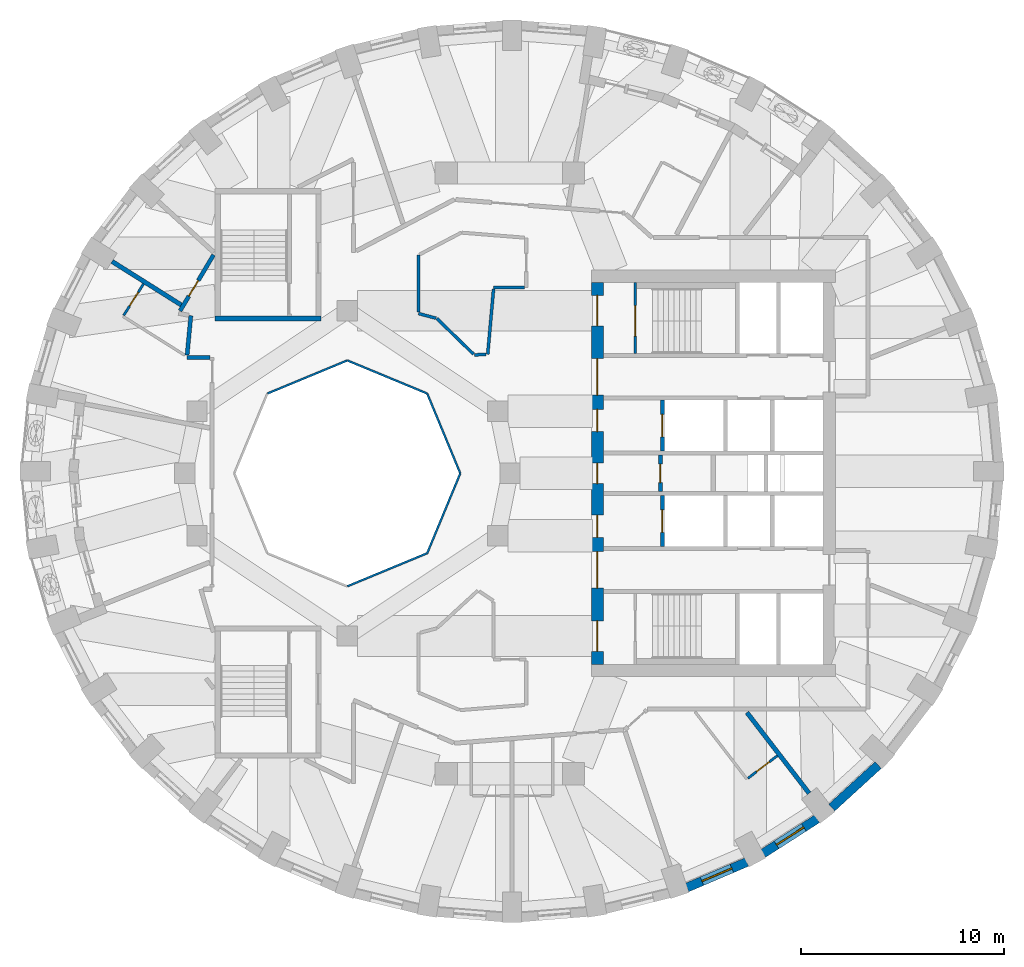
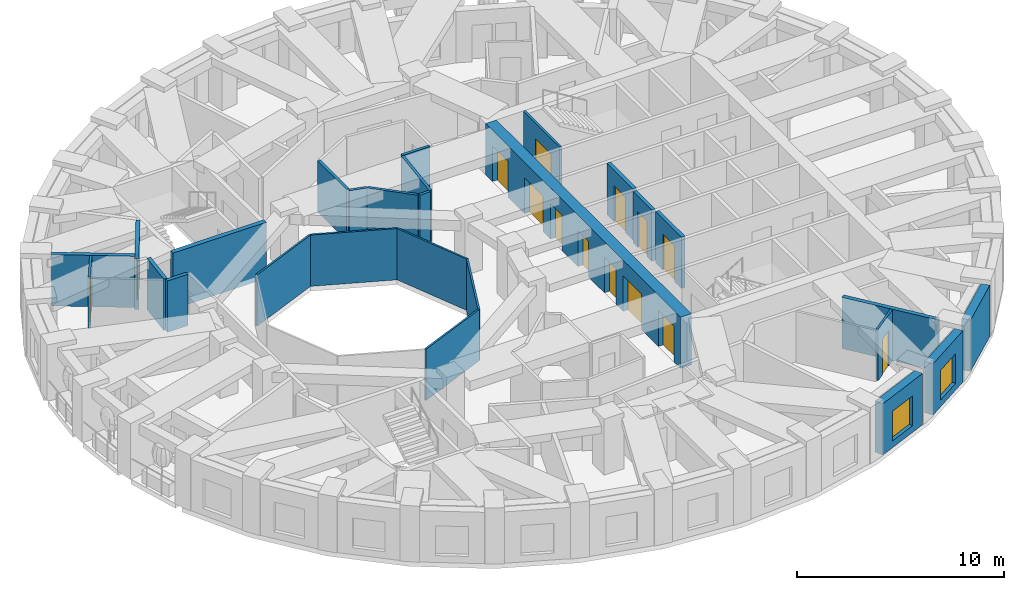
# One storey, part 5 of 12: 27 walls, 14 doors, 2 windows, 16 openings.
"""IFC4 building model written with IfcOpenShell, lengths in metres."""

import ifcopenshell
import ifcopenshell.guid

model = None  # the IFC model being written
_history = None  # IfcOwnerHistory: only IFC2X3 demands one
_inside = {}  # id of a spatial element -> (the spatial element, [elements in it])
_under = {}  # id of a project, library or spatial element -> (it, [spatial elements below it])
_declared = {}  # id of a project -> (the project, [libraries it declares])
_typed = {}  # id of a type object -> (the type object, [elements of that type])
_made_of = {}  # id of a material, layer set ... -> (it, [elements and type objects made of it])


def new_model(schema):
    """Start an empty IFC model of exactly this schema.

    Asked for "IFC4X3", IfcOpenShell would pick the latest addendum, in which some entities
    have other attributes; the version numbers below select the first issue.
    IFC2X3 requires an IfcOwnerHistory on every rooted entity: one is made here for all.
    """
    global model, _history
    if schema == "IFC4X3":
        model = ifcopenshell.file(schema_version=(4, 3, 0, 0))
    else:
        model = ifcopenshell.file(schema=schema)
    _inside.clear()
    _under.clear()
    _declared.clear()
    _typed.clear()
    _made_of.clear()
    _history = None
    if model.schema == "IFC2X3":
        org = make("IfcOrganization", Name="unknown")
        user = make(
            "IfcPersonAndOrganization",
            ThePerson=make("IfcPerson", FamilyName="unknown"),
            TheOrganization=org,
        )
        app = make(
            "IfcApplication",
            ApplicationDeveloper=org,
            Version="unknown",
            ApplicationFullName="unknown",
            ApplicationIdentifier="unknown",
        )
        _history = make(
            "IfcOwnerHistory",
            OwningUser=user,
            OwningApplication=app,
            ChangeAction="ADDED",
            CreationDate=0,
        )
    return model


def make(cls, **values):
    """One entity of the class cls with the attributes given. An attribute that is None is left unset."""
    return model.create_entity(
        cls, **{name: value for name, value in values.items() if value is not None}
    )


def rooted(cls, **values):
    """An entity with a GlobalId (a new one), such as an element, a storey or a relation."""
    return make(cls, GlobalId=ifcopenshell.guid.new(), OwnerHistory=_history, **values)


def si_unit(unit_type, name, prefix=None):
    """IfcSIUnit, for example si_unit("LENGTHUNIT", "METRE", prefix="MILLI")."""
    return make("IfcSIUnit", UnitType=unit_type, Prefix=prefix, Name=name)


def assignment(units):
    """IfcUnitAssignment: the units of a project."""
    return None if units is None else make("IfcUnitAssignment", Units=units)


def point(xyz):
    """IfcCartesianPoint."""
    return None if xyz is None else make("IfcCartesianPoint", Coordinates=xyz)


def direction(xyz):
    """IfcDirection."""
    return None if xyz is None else make("IfcDirection", DirectionRatios=xyz)


def frame(location, z_axis=None, x_axis=None):
    """IfcAxis2Placement3D, a coordinate frame: its origin and axes. An axis left out is left unset."""
    return make(
        "IfcAxis2Placement3D",
        Location=point(location),
        Axis=direction(z_axis),
        RefDirection=direction(x_axis),
    )


def frame_2d(location, x_axis=None):
    """IfcAxis2Placement2D, a coordinate frame in the plane: its origin and x axis."""
    return make(
        "IfcAxis2Placement2D", Location=point(location), RefDirection=direction(x_axis)
    )


def origin():
    """The frame at (0, 0, 0) with its axes left unset."""
    return frame((0.0, 0.0, 0.0))


def place(relative_to, where):
    """IfcLocalPlacement: puts the frame where relative to a parent placement (None: the world)."""
    return make(
        "IfcLocalPlacement", PlacementRelTo=relative_to, RelativePlacement=where
    )


def context(
    kind, dimensions, precision=None, world=None, true_north=None, identifier=None
):
    """IfcGeometricRepresentationContext, for example the 3D "Model" context."""
    return make(
        "IfcGeometricRepresentationContext",
        ContextIdentifier=identifier,
        ContextType=kind,
        CoordinateSpaceDimension=dimensions,
        Precision=precision,
        WorldCoordinateSystem=world,
        TrueNorth=true_north,
    )


def subcontext(parent, identifier, kind, view, scale=None):
    """IfcGeometricRepresentationSubContext, for example "Body" below "Model"."""
    return make(
        "IfcGeometricRepresentationSubContext",
        ContextIdentifier=identifier,
        ContextType=kind,
        ParentContext=parent,
        TargetScale=scale,
        TargetView=view,
    )


def project(units=None, contexts=None):
    """IfcProject with its units and contexts."""
    return rooted(
        "IfcProject",
        Name="project",
        RepresentationContexts=contexts,
        UnitsInContext=assignment(units),
    )


def spatial(cls, under=None, at=None, **own):
    """A site, building, storey or space (cls), placed at a placement, below another one or the project."""
    s = rooted(cls, ObjectPlacement=at, **own)
    if under is not None:
        _under.setdefault(under.id(), (under, []))[1].append(s)
    return s


def profile(cls, at=None, kind="AREA", **sizes):
    """A parametric profile (cls). Its sizes go by their IFC names, for example OverallWidth=200.0."""
    return make(cls, ProfileType=kind, Position=at, **sizes)


def rectangle(**sizes):
    """IfcRectangleProfileDef."""
    return profile("IfcRectangleProfileDef", **sizes)


def extrude(swept, where, along, depth):
    """IfcExtrudedAreaSolid: the profile swept, set in the frame where, extruded along a direction by depth."""
    return make(
        "IfcExtrudedAreaSolid",
        SweptArea=swept,
        Position=where,
        ExtrudedDirection=direction(along),
        Depth=depth,
    )


def shape(context_of_items, identifier, shape_type, items):
    """IfcShapeRepresentation: the items that make up one representation, for example the "Body"."""
    return make(
        "IfcShapeRepresentation",
        ContextOfItems=context_of_items,
        RepresentationIdentifier=identifier,
        RepresentationType=shape_type,
        Items=items,
    )


def material(Name=None, Category=None):
    """IfcMaterial."""
    return make("IfcMaterial", Name=Name, Category=Category)


def layer(
    of_material, thickness, ventilated=None, Name=None, Category=None, Priority=None
):
    """IfcMaterialLayer: one layer of a wall or slab, of a material (None: an air gap)."""
    return make(
        "IfcMaterialLayer",
        Material=of_material,
        LayerThickness=thickness,
        IsVentilated=ventilated,
        Name=Name,
        Category=Category,
        Priority=Priority,
    )


def layer_set(layers, Name=None):
    """IfcMaterialLayerSet."""
    return make("IfcMaterialLayerSet", MaterialLayers=layers, LayerSetName=Name)


def made_of(thing, what):
    """Note that an element or type object is made of a material, layer set ...; save() writes the relation."""
    if what is not None:
        _made_of.setdefault(what.id(), (what, []))[1].append(thing)
    return thing


def type_object(cls, material=None, **own):
    """A type object (cls), such as IfcWallType, which elements share."""
    return made_of(rooted(cls, **own), material)


def element(
    cls,
    number,
    at=None,
    inside=None,
    cuts=None,
    type_object=None,
    material=None,
    context=None,
    identifier="Body",
    shape_type=None,
    held_by="IfcProductDefinitionShape",
    body=None,
    shapes=None,
    **own,
):
    """One element of the class cls, such as IfcWall. Its Tag is "e" and its number.

    at: its placement. inside: the storey or other place that contains it. cuts: it is an
    opening in that element (IfcRelVoidsElement). A single representation is given by context,
    identifier, shape_type and body (its items); several are given by shapes. held_by: the class
    of the entity that holds the representations. save() writes the other relations.
    """
    e = rooted(cls, Tag="e%d" % number, ObjectPlacement=at, **own)
    if body is not None:
        shapes = [shape(context, identifier, shape_type, body)]
    if shapes is not None:
        e.Representation = make(held_by, Representations=shapes)
    if inside is not None:
        _inside.setdefault(inside.id(), (inside, []))[1].append(e)
    if cuts is not None:
        rooted(
            "IfcRelVoidsElement", RelatingBuildingElement=cuts, RelatedOpeningElement=e
        )
    if type_object is not None:
        _typed.setdefault(type_object.id(), (type_object, []))[1].append(e)
    return made_of(e, material)


def fill(opening, filler):
    """IfcRelFillsElement: the door or window that sits in an opening."""
    return rooted(
        "IfcRelFillsElement",
        RelatingOpeningElement=opening,
        RelatedBuildingElement=filler,
    )


def aggregate(whole, parts):
    """IfcRelAggregates: a whole, such as a stair, and the parts it consists of."""
    return rooted("IfcRelAggregates", RelatingObject=whole, RelatedObjects=parts)


def save(model, path):
    """Write the relations noted so far, then the file.

    IfcRelAggregates (storeys below a building ...), IfcRelContainedInSpatialStructure (elements
    in a storey), IfcRelDefinesByType, IfcRelAssociatesMaterial and IfcRelDeclares: one each for
    every whole, place, type object, material and project.
    """
    for whole, parts in _under.values():
        aggregate(whole, parts)
    for where, things in _inside.values():
        rooted(
            "IfcRelContainedInSpatialStructure",
            RelatedElements=things,
            RelatingStructure=where,
        )
    for kind, things in _typed.values():
        rooted("IfcRelDefinesByType", RelatedObjects=things, RelatingType=kind)
    for what, things in _made_of.values():
        rooted("IfcRelAssociatesMaterial", RelatedObjects=things, RelatingMaterial=what)
    for by, libraries in _declared.values():
        rooted("IfcRelDeclares", RelatingContext=by, RelatedDefinitions=libraries)
    model.write(path)


model = new_model("IFC4")

# Units and contexts
model_context = context("Model", 3, precision=1e-05, world=origin(), true_north=direction((0.0, 1.0)))
body_context = subcontext(model_context, "Body", "Model", "MODEL_VIEW")
ifc_project = project(units=[si_unit("LENGTHUNIT", "METRE"), si_unit("AREAUNIT", "SQUARE_METRE"), si_unit("VOLUMEUNIT", "CUBIC_METRE"), si_unit("PLANEANGLEUNIT", "RADIAN"), si_unit("MASSUNIT", "GRAM", prefix="KILO")], contexts=[model_context])

# Site, building, storey
site_placement = place(None, origin())
site = spatial("IfcSite", under=ifc_project, at=site_placement, CompositionType="ELEMENT")
building_placement = place(site_placement, origin())
building = spatial("IfcBuilding", under=site, at=building_placement, Name="Taillehof Tower", CompositionType="ELEMENT")
storey_placement = place(building_placement, frame((0.0, 0.0, 151.699951171875)))
storey = spatial("IfcBuildingStorey", under=building, at=storey_placement, Name="L42", CompositionType="ELEMENT", Elevation=151.699951171875)

# Walls
ifc_material_1 = material(Name="Fire-resisting glass in steel frame", Category="steel")
ifc_layer_1 = layer(ifc_material_1, 0.10009765625)
ifc_layer_set_1 = layer_set([ifc_layer_1], Name="Atrium fire-resisting screen EI 60 100")
wall_type_1 = type_object("IfcWallType", Name="Atrium fire-resisting screen EI 60 100", PredefinedType="PARTITIONING", material=ifc_layer_set_1)
for number, where, z_axis, x_axis, name in (
    (1, (-2.44580078125, 0.0, 0.0), (0.0, 0.0, 1.0), (-0.382730523909, -0.923860025149, 0.0), "Atrium screen"),
    (2, (-4.07275390625, -3.92724609375, 0.0), (0.0, 0.0, 1.0), (-0.923860025149, -0.382730523909, 0.0), "Atrium screen"),
    (3, (-11.92724609375, 3.92724609375, 0.0), (0.0, 0.0, 1.0), (0.923860025149, 0.382730523909, 0.0), "Atrium screen"),
    (4, (-8.0, 5.55419921875, 0.0), (0.0, 0.0, 1.0), (0.923860025149, -0.382730523909, 0.0), "Atrium screen"),
    (5, (-4.07275390625, 3.92724609375, 0.0), (0.0, 0.0, 1.0), (0.382730523909, -0.923860025149, 0.0), "Atrium screen"),
):
    element("IfcWall", number, at=place(storey_placement, frame(where, z_axis=z_axis, x_axis=x_axis)), inside=storey, type_object=wall_type_1, Name=name, PredefinedType="PARTITIONING", context=body_context, shape_type="SweptSolid", body=[
        extrude(rectangle(XDim=4.2509765625, YDim=0.10009765625, at=frame_2d((2.12548828125, 0.0))), origin(), (0.0, 0.0, 1.0), 3.02001953125),
    ])

# Wall, opening, window
ifc_material_2 = material(Name="Brick masonry", Category="masonry")
ifc_layer_2 = layer(ifc_material_2, 0.449951171875)
ifc_layer_set_2 = layer_set([ifc_layer_2], Name="Brick infill wall 450")
wall_type_2 = type_object("IfcWallType", Name="Brick infill wall 450", PredefinedType="SOLIDWALL", material=ifc_layer_set_2)
wall_1_placement = place(storey_placement, frame((8.706298828125, -20.37451171875, 0.0), z_axis=(0.0, 0.0, 1.0), x_axis=(0.91981046949, 0.392362969986, 0.0)))
wall_1 = element("IfcWall", 6, at=wall_1_placement, inside=storey, type_object=wall_type_2, Name="Brick wall L42 bay 30", PredefinedType="SOLIDWALL", context=body_context, shape_type="SweptSolid", body=[
    extrude(rectangle(XDim=3.20068359375, YDim=0.449951171875, at=frame_2d((1.600341796875, 0.0))), origin(), (0.0, 0.0, 1.0), 3.02001953125),
])
opening_1_placement = place(wall_1_placement, frame((0.80029296875, 0.0, 0.39990234375)))
opening_1 = element("IfcOpeningElement", 7, at=opening_1_placement, cuts=wall_1, Name="Opening W3", PredefinedType="OPENING", context=body_context, shape_type="SweptSolid", body=[
    extrude(rectangle(XDim=1.60009765625, YDim=1.75, at=frame_2d((0.800048828125, 0.875))), frame((0.0, 0.23486328125, 0.0), z_axis=(0.0, -1.0, 0.0), x_axis=(1.0, 0.0, 0.0)), (0.0, 0.0, 1.0), 0.469970703125),
])
ifc_material_3 = material(Name="Aluminium window frame with clear double glazing", Category="aluminium")
window_type = type_object("IfcWindowType", Name="Deep-set window 1600x1750", PartitioningType="SINGLE_PANEL", PredefinedType="WINDOW", material=ifc_material_3)
window_1_placement = place(opening_1_placement, origin())
window_1 = element("IfcWindow", 8, at=window_1_placement, inside=storey, type_object=window_type, Name="W3", OverallHeight=1.75, OverallWidth=1.60009765625, PartitioningType="SINGLE_PANEL", PredefinedType="WINDOW", context=body_context, shape_type="SweptSolid", body=[
    extrude(rectangle(XDim=1.60009765625, YDim=1.75, at=frame_2d((0.800048828125, 0.875))), frame((0.0, 0.034912109375, 0.0), z_axis=(0.0, -1.0, 0.0), x_axis=(1.0, 0.0, 0.0)), (0.0, 0.0, 1.0), 0.06005859375),
])
fill(opening_1, window_1)

wall_2_placement = place(storey_placement, frame((12.454833984375, -18.693115234375, 0.0), z_axis=(0.0, 0.0, 1.0), x_axis=(0.842065914439, 0.539374633943, 0.0)))
wall_2 = element("IfcWall", 9, at=wall_2_placement, inside=storey, type_object=wall_type_2, Name="Brick wall L42 bay 31", PredefinedType="SOLIDWALL", context=body_context, shape_type="SweptSolid", body=[
    extrude(rectangle(XDim=3.1513671875, YDim=0.449951171875, at=frame_2d((1.57568359375, 0.0))), origin(), (0.0, 0.0, 1.0), 3.02001953125),
])
opening_2_placement = place(wall_2_placement, frame((0.775634765625, 0.0, 0.39990234375)))
opening_2 = element("IfcOpeningElement", 10, at=opening_2_placement, cuts=wall_2, Name="Opening W3", PredefinedType="OPENING", context=body_context, shape_type="SweptSolid", body=[
    extrude(rectangle(XDim=1.60009765625, YDim=1.75, at=frame_2d((0.800048828125, 0.875))), frame((0.0, 0.23486328125, 0.0), z_axis=(0.0, -1.0, 0.0), x_axis=(1.0, 0.0, 0.0)), (0.0, 0.0, 1.0), 0.469970703125),
])
window_2_placement = place(opening_2_placement, origin())
window_2 = element("IfcWindow", 11, at=window_2_placement, inside=storey, type_object=window_type, Name="W3", OverallHeight=1.75, OverallWidth=1.60009765625, PartitioningType="SINGLE_PANEL", PredefinedType="WINDOW", context=body_context, shape_type="SweptSolid", body=[
    extrude(rectangle(XDim=1.60009765625, YDim=1.75, at=frame_2d((0.800048828125, 0.875))), frame((0.0, 0.034912109375, 0.0), z_axis=(0.0, -1.0, 0.0), x_axis=(1.0, 0.0, 0.0)), (0.0, 0.0, 1.0), 0.06005859375),
])
fill(opening_2, window_2)

# Wall
wall_3_placement = place(storey_placement, frame((15.830078125, -16.438720703125, 0.0), z_axis=(0.0, 0.0, 1.0), x_axis=(0.737808755941, 0.675009807082, 0.0)))
element("IfcWall", 12, at=wall_3_placement, inside=storey, type_object=wall_type_2, Name="Brick wall L42 bay 32", PredefinedType="SOLIDWALL", context=body_context, shape_type="SweptSolid", body=[
    extrude(rectangle(XDim=3.094482421875, YDim=0.449951171875, at=frame_2d((1.54736328125, 0.0))), origin(), (0.0, 0.0, 1.0), 3.02001953125),
])

# Wall, opening, door
ifc_material_4 = material(Name="Calcium silicate masonry", Category="masonry")
ifc_layer_3 = layer(ifc_material_4, 0.199951171875)
ifc_layer_set_3 = layer_set([ifc_layer_3], Name="Compartment wall calcium silicate 200")
wall_type_3 = type_object("IfcWallType", Name="Compartment wall calcium silicate 200", PredefinedType="PARTITIONING", material=ifc_layer_set_3)
wall_4_placement = place(storey_placement, frame((7.39990234375, -0.89990234375, 0.0), z_axis=(0.0, 0.0, 1.0), x_axis=(0.0, 1.0, 0.0)))
wall_4 = element("IfcWall", 13, at=wall_4_placement, inside=storey, type_object=wall_type_3, Name="Compartment wall FW", PredefinedType="PARTITIONING", context=body_context, shape_type="SweptSolid", body=[
    extrude(rectangle(XDim=1.7998046875, YDim=0.199951171875, at=frame_2d((0.89990234375, 0.0))), origin(), (0.0, 0.0, 1.0), 3.02001953125),
])
opening_3_placement = place(wall_4_placement, frame((0.449951171875, 0.0, 0.0)))
opening_3 = element("IfcOpeningElement", 14, at=opening_3_placement, cuts=wall_4, Name="Opening D4214", PredefinedType="OPENING", context=body_context, shape_type="SweptSolid", body=[
    extrude(rectangle(XDim=0.89990234375, YDim=2.10009765625, at=frame_2d((0.449951171875, 1.050048828125))), frame((0.0, 0.10986328125, 0.0), z_axis=(0.0, -1.0, 0.0), x_axis=(1.0, 0.0, 0.0)), (0.0, 0.0, 1.0), 0.219970703125),
])
ifc_material_5 = material(Name="Steel-faced fire door", Category="steel")
door_type_1 = type_object("IfcDoorType", Name="Riser and service room door 900x2100", OperationType="SINGLE_SWING_LEFT", PredefinedType="DOOR", material=ifc_material_5)
door_1_placement = place(opening_3_placement, origin())
door_1 = element("IfcDoor", 15, at=door_1_placement, inside=storey, type_object=door_type_1, Name="Door Ice And Pantry Room", OperationType="SINGLE_SWING_RIGHT", OverallHeight=2.10009765625, OverallWidth=0.89990234375, PredefinedType="DOOR", context=body_context, shape_type="SweptSolid", body=[
    extrude(rectangle(XDim=0.89990234375, YDim=2.10009765625, at=frame_2d((0.449951171875, 1.050048828125))), frame((0.0, 0.02490234375, 0.0), z_axis=(0.0, -1.0, 0.0), x_axis=(1.0, 0.0, 0.0)), (0.0, 0.0, 1.0), 0.050048828125),
])
fill(opening_3, door_1)

# Walls
ifc_material_6 = material(Name="Gypsum board on steel studs, two layers each side", Category="steel")
ifc_layer_4 = layer(ifc_material_6, 0.199951171875)
ifc_layer_set_4 = layer_set([ifc_layer_4], Name="Compartment wall corridor 200")
wall_type_4 = type_object("IfcWallType", Name="Compartment wall corridor 200", PredefinedType="PARTITIONING", material=ifc_layer_set_4)
wall_5_placement = place(storey_placement, frame((-14.746826171875, 5.699951171875, 0.0), z_axis=(0.0, 0.0, 1.0), x_axis=(-1.0, 0.0, 0.0)))
element("IfcWall", 16, at=wall_5_placement, inside=storey, type_object=wall_type_4, Name="Compartment wall", PredefinedType="PARTITIONING", context=body_context, shape_type="SweptSolid", body=[
    extrude(rectangle(XDim=1.145263671875, YDim=0.199951171875, at=frame_2d((0.57275390625, 0.0))), origin(), (0.0, 0.0, 1.0), 3.02001953125),
])
wall_6_placement = place(storey_placement, frame((-15.88037109375, 5.820068359375, 0.0), z_axis=(0.0, 0.0, 1.0), x_axis=(0.094892019157, 0.995487571344, 0.0)))
element("IfcWall", 17, at=wall_6_placement, inside=storey, type_object=wall_type_4, Name="Compartment wall", PredefinedType="PARTITIONING", context=body_context, shape_type="SweptSolid", body=[
    extrude(rectangle(XDim=1.945068359375, YDim=0.199951171875, at=frame_2d((0.97265625, 0.0))), origin(), (0.0, 0.0, 1.0), 3.02001953125),
])

# Wall, opening, door
wall_7_placement = place(storey_placement, frame((-16.228271484375, 7.9921875, 0.0), z_axis=(0.0, 0.0, 1.0), x_axis=(0.513936465122, 0.857828251935, 0.0)))
wall_7 = element("IfcWall", 18, at=wall_7_placement, inside=storey, type_object=wall_type_4, Name="Compartment wall", PredefinedType="PARTITIONING", context=body_context, shape_type="SweptSolid", body=[
    extrude(rectangle(XDim=3.210205078125, YDim=0.199951171875, at=frame_2d((1.60498046875, 0.0))), origin(), (0.0, 0.0, 1.0), 3.02001953125),
])
opening_4_placement = place(wall_7_placement, frame((0.84814453125, 0.0, 0.0)))
opening_4 = element("IfcOpeningElement", 19, at=opening_4_placement, cuts=wall_7, Name="Opening D4245", PredefinedType="OPENING", context=body_context, shape_type="SweptSolid", body=[
    extrude(rectangle(XDim=0.89990234375, YDim=2.10009765625, at=frame_2d((0.449951171875, 1.050048828125))), frame((0.0, 0.10986328125, 0.0), z_axis=(0.0, -1.0, 0.0), x_axis=(1.0, 0.0, 0.0)), (0.0, 0.0, 1.0), 0.219970703125),
])
ifc_material_7 = material(Name="Timber door leaf in steel frame", Category="steel")
door_type_2 = type_object("IfcDoorType", Name="Service room door EI 30 900 x 2100", OperationType="SINGLE_SWING_LEFT", PredefinedType="DOOR", material=ifc_material_7)
door_2_placement = place(opening_4_placement, origin())
door_2 = element("IfcDoor", 20, at=door_2_placement, inside=storey, type_object=door_type_2, Name="D4245", OperationType="SINGLE_SWING_LEFT", OverallHeight=2.10009765625, OverallWidth=0.89990234375, PredefinedType="DOOR", context=body_context, shape_type="SweptSolid", body=[
    extrude(rectangle(XDim=0.89990234375, YDim=2.10009765625, at=frame_2d((0.449951171875, 1.050048828125))), frame((0.0, 0.02490234375, 0.0), z_axis=(0.0, -1.0, 0.0), x_axis=(1.0, 0.0, 0.0)), (0.0, 0.0, 1.0), 0.050048828125),
])
fill(opening_4, door_2)

# Walls
ifc_material_8 = material(Name="Gypsum board on double steel studs with mineral wool", Category="steel")
ifc_layer_5 = layer(ifc_material_8, 0.219970703125)
ifc_layer_set_5 = layer_set([ifc_layer_5], Name="Compartment wall guest room 220")
wall_type_5 = type_object("IfcWallType", Name="Compartment wall guest room 220", PredefinedType="PARTITIONING", material=ifc_layer_set_5)
wall_8_placement = place(storey_placement, frame((-19.573486328125, 10.425537109375, 0.0), z_axis=(0.0, 0.0, 1.0), x_axis=(0.846298736827, -0.532708595805, 0.0)))
element("IfcWall", 21, at=wall_8_placement, inside=storey, type_object=wall_type_5, Name="Compartment wall", PredefinedType="PARTITIONING", context=body_context, shape_type="SweptSolid", body=[
    extrude(rectangle(XDim=4.021240234375, YDim=0.219970703125, at=frame_2d((2.0107421875, 0.0))), origin(), (0.0, 0.0, 1.0), 3.02001953125),
])
wall_9_placement = place(storey_placement, frame((14.7158203125, -15.7373046875, 0.0), z_axis=(0.0, 0.0, 1.0), x_axis=(-0.609986007715, 0.792412184657, 0.0)))
element("IfcWall", 22, at=wall_9_placement, inside=storey, type_object=wall_type_5, Name="Compartment wall", PredefinedType="PARTITIONING", context=body_context, shape_type="SweptSolid", body=[
    extrude(rectangle(XDim=5.0146484375, YDim=0.219970703125, at=frame_2d((2.50732421875, 0.0))), origin(), (0.0, 0.0, 1.0), 3.02001953125),
])
ifc_material_9 = material(Name="Gypsum board on steel studs, two layers each side", Category="steel")
ifc_layer_6 = layer(ifc_material_9, 0.14990234375)
ifc_layer_set_6 = layer_set([ifc_layer_6], Name="Compartment wall service room 150")
wall_type_6 = type_object("IfcWallType", Name="Compartment wall service room 150", PredefinedType="PARTITIONING", material=ifc_layer_set_6)
wall_10_placement = place(storey_placement, frame((0.719970703125, 9.14990234375, 0.0), z_axis=(0.0, 0.0, 1.0), x_axis=(-1.0, 0.0, 0.0)))
element("IfcWall", 23, at=wall_10_placement, inside=storey, type_object=wall_type_6, Name="Compartment wall", PredefinedType="PARTITIONING", context=body_context, shape_type="SweptSolid", body=[
    extrude(rectangle(XDim=1.52001953125, YDim=0.14990234375, at=frame_2d((0.760009765625, 0.0))), origin(), (0.0, 0.0, 1.0), 3.02001953125),
])
wall_11_placement = place(storey_placement, frame((-0.806884765625, 9.06982421875, 0.0), z_axis=(0.0, 0.0, 1.0), x_axis=(-0.089184087733, -0.996015159772, 0.0)))
element("IfcWall", 24, at=wall_11_placement, inside=storey, type_object=wall_type_6, Name="Compartment wall", PredefinedType="PARTITIONING", context=body_context, shape_type="SweptSolid", body=[
    extrude(rectangle(XDim=3.224853515625, YDim=0.14990234375, at=frame_2d((1.6123046875, 0.0))), origin(), (0.0, 0.0, 1.0), 3.02001953125),
])
wall_12_placement = place(storey_placement, frame((-1.174560546875, 5.85400390625, 0.0), z_axis=(0.0, 0.0, 1.0), x_axis=(-0.998798267986, -0.049010405705, 0.0)))
element("IfcWall", 25, at=wall_12_placement, inside=storey, type_object=wall_type_6, Name="Compartment wall", PredefinedType="PARTITIONING", context=body_context, shape_type="SweptSolid", body=[
    extrude(rectangle(XDim=0.577880859375, YDim=0.14990234375, at=frame_2d((0.2890625, 0.0))), origin(), (0.0, 0.0, 1.0), 3.02001953125),
])
wall_13_placement = place(storey_placement, frame((-1.794921875, 5.867431640625, 0.0), z_axis=(0.0, 0.0, 1.0), x_axis=(-0.717315398231, 0.696748605639, 0.0)))
element("IfcWall", 26, at=wall_13_placement, inside=storey, type_object=wall_type_6, Name="Compartment wall", PredefinedType="PARTITIONING", context=body_context, shape_type="SweptSolid", body=[
    extrude(rectangle(XDim=2.5166015625, YDim=0.14990234375, at=frame_2d((1.25830078125, 0.0))), origin(), (0.0, 0.0, 1.0), 3.02001953125),
])
wall_14_placement = place(storey_placement, frame((-3.638671875, 7.631103515625, 0.0), z_axis=(0.0, 0.0, 1.0), x_axis=(-0.965879594242, 0.258991523853, 0.0)))
element("IfcWall", 27, at=wall_14_placement, inside=storey, type_object=wall_type_6, Name="Compartment wall", PredefinedType="PARTITIONING", context=body_context, shape_type="SweptSolid", body=[
    extrude(rectangle(XDim=0.891845703125, YDim=0.14990234375, at=frame_2d((0.44580078125, 0.0))), origin(), (0.0, 0.0, 1.0), 3.02001953125),
])
wall_15_placement = place(storey_placement, frame((-4.5, 7.942138671875, 0.0), z_axis=(0.0, 0.0, 1.0), x_axis=(0.0, 1.0, 0.0)))
element("IfcWall", 28, at=wall_15_placement, inside=storey, type_object=wall_type_6, Name="Compartment wall", PredefinedType="PARTITIONING", context=body_context, shape_type="SweptSolid", body=[
    extrude(rectangle(XDim=2.79638671875, YDim=0.14990234375, at=frame_2d((1.398193359375, 0.0))), origin(), (0.0, 0.0, 1.0), 3.02001953125),
])

# Wall, openings, doors
ifc_material_10 = material(Name="Concrete C80/95", Category="concrete")
ifc_layer_7 = layer(ifc_material_10, 0.60009765625)
ifc_layer_set_7 = layer_set([ifc_layer_7], Name="Core wall C80/95 600")
wall_type_7 = type_object("IfcWallType", Name="Core wall C80/95 600", PredefinedType="SHEAR", material=ifc_layer_set_7)
wall_16_placement = place(storey_placement, frame((4.300048828125, -9.39990234375, 0.0), z_axis=(0.0, 0.0, 1.0), x_axis=(0.0, 1.0, 0.0)))
wall_16 = element("IfcWall", 29, at=wall_16_placement, inside=storey, type_object=wall_type_7, Name="Core wall CW01", PredefinedType="SHEAR", context=body_context, shape_type="SweptSolid", body=[
    extrude(rectangle(XDim=18.7998046875, YDim=0.60009765625, at=frame_2d((9.39990234375, 0.0))), origin(), (0.0, 0.0, 1.0), 3.02001953125),
])
opening_5_placement = place(wall_16_placement, frame((0.64990234375, 0.0, 0.0)))
opening_5 = element("IfcOpeningElement", 30, at=opening_5_placement, cuts=wall_16, Name="Opening D4201", PredefinedType="OPENING", context=body_context, shape_type="SweptSolid", body=[
    extrude(rectangle(XDim=1.5, YDim=2.10009765625, at=frame_2d((0.75, 1.050048828125))), frame((0.0, 0.31005859375, 0.0), z_axis=(0.0, -1.0, 0.0), x_axis=(1.0, 0.0, 0.0)), (0.0, 0.0, 1.0), 0.6201171875),
])
opening_6_placement = place(wall_16_placement, frame((3.75, 0.0, 0.0)))
opening_6 = element("IfcOpeningElement", 31, at=opening_6_placement, cuts=wall_16, Name="Opening D4202", PredefinedType="OPENING", context=body_context, shape_type="SweptSolid", body=[
    extrude(rectangle(XDim=1.800048828125, YDim=2.10009765625, at=frame_2d((0.89990234375, 1.050048828125))), frame((0.0, 0.31005859375, 0.0), z_axis=(0.0, -1.0, 0.0), x_axis=(1.0, 0.0, 0.0)), (0.0, 0.0, 1.0), 0.6201171875),
])
opening_7_placement = place(wall_16_placement, frame((6.25, 0.0, 0.0)))
opening_7 = element("IfcOpeningElement", 32, at=opening_7_placement, cuts=wall_16, Name="Opening D4203", PredefinedType="OPENING", context=body_context, shape_type="SweptSolid", body=[
    extrude(rectangle(XDim=1.10009765625, YDim=2.10009765625, at=frame_2d((0.550048828125, 1.050048828125))), frame((0.0, 0.31005859375, 0.0), z_axis=(0.0, -1.0, 0.0), x_axis=(1.0, 0.0, 0.0)), (0.0, 0.0, 1.0), 0.6201171875),
])
opening_8_placement = place(wall_16_placement, frame((8.89990234375, 0.0, 0.0)))
opening_8 = element("IfcOpeningElement", 33, at=opening_8_placement, cuts=wall_16, Name="Opening D4204", PredefinedType="OPENING", context=body_context, shape_type="SweptSolid", body=[
    extrude(rectangle(XDim=1.0, YDim=2.10009765625, at=frame_2d((0.5, 1.050048828125))), frame((0.0, 0.31005859375, 0.0), z_axis=(0.0, -1.0, 0.0), x_axis=(1.0, 0.0, 0.0)), (0.0, 0.0, 1.0), 0.6201171875),
])
opening_9_placement = place(wall_16_placement, frame((11.449951171875, 0.0, 0.0)))
opening_9 = element("IfcOpeningElement", 34, at=opening_9_placement, cuts=wall_16, Name="Opening D4205", PredefinedType="OPENING", context=body_context, shape_type="SweptSolid", body=[
    extrude(rectangle(XDim=1.10009765625, YDim=2.10009765625, at=frame_2d((0.550048828125, 1.050048828125))), frame((0.0, 0.31005859375, 0.0), z_axis=(0.0, -1.0, 0.0), x_axis=(1.0, 0.0, 0.0)), (0.0, 0.0, 1.0), 0.6201171875),
])
opening_10_placement = place(wall_16_placement, frame((13.25, 0.0, 0.0)))
opening_10 = element("IfcOpeningElement", 35, at=opening_10_placement, cuts=wall_16, Name="Opening D4206", PredefinedType="OPENING", context=body_context, shape_type="SweptSolid", body=[
    extrude(rectangle(XDim=1.800048828125, YDim=2.10009765625, at=frame_2d((0.89990234375, 1.050048828125))), frame((0.0, 0.31005859375, 0.0), z_axis=(0.0, -1.0, 0.0), x_axis=(1.0, 0.0, 0.0)), (0.0, 0.0, 1.0), 0.6201171875),
])
opening_11_placement = place(wall_16_placement, frame((16.64990234375, 0.0, 0.0)))
opening_11 = element("IfcOpeningElement", 36, at=opening_11_placement, cuts=wall_16, Name="Opening D4207", PredefinedType="OPENING", context=body_context, shape_type="SweptSolid", body=[
    extrude(rectangle(XDim=1.5, YDim=2.10009765625, at=frame_2d((0.75, 1.050048828125))), frame((0.0, 0.31005859375, 0.0), z_axis=(0.0, -1.0, 0.0), x_axis=(1.0, 0.0, 0.0)), (0.0, 0.0, 1.0), 0.6201171875),
])
ifc_material_11 = material(Name="Steel-faced fire door", Category="steel")
door_type_3 = type_object("IfcDoorType", Name="Firefighting lobby door 1100x2100", OperationType="SINGLE_SWING_RIGHT", PredefinedType="DOOR", material=ifc_material_11)
door_3_placement = place(opening_7_placement, origin())
door_3 = element("IfcDoor", 37, at=door_3_placement, inside=storey, type_object=door_type_3, Name="Firefighting lobby door FFL-S", OperationType="SINGLE_SWING_RIGHT", OverallHeight=2.10009765625, OverallWidth=1.10009765625, PredefinedType="DOOR", context=body_context, shape_type="SweptSolid", body=[
    extrude(rectangle(XDim=1.10009765625, YDim=2.10009765625, at=frame_2d((0.550048828125, 1.050048828125))), frame((0.0, 0.02490234375, 0.0), z_axis=(0.0, -1.0, 0.0), x_axis=(1.0, 0.0, 0.0)), (0.0, 0.0, 1.0), 0.050048828125),
])
fill(opening_7, door_3)
door_4_placement = place(opening_9_placement, origin())
door_4 = element("IfcDoor", 38, at=door_4_placement, inside=storey, type_object=door_type_3, Name="Firefighting lobby door FFL-N", OperationType="SINGLE_SWING_LEFT", OverallHeight=2.10009765625, OverallWidth=1.10009765625, PredefinedType="DOOR", context=body_context, shape_type="SweptSolid", body=[
    extrude(rectangle(XDim=1.10009765625, YDim=2.10009765625, at=frame_2d((0.550048828125, 1.050048828125))), frame((0.0, 0.02490234375, 0.0), z_axis=(0.0, -1.0, 0.0), x_axis=(1.0, 0.0, 0.0)), (0.0, 0.0, 1.0), 0.050048828125),
])
fill(opening_9, door_4)
ifc_material_12 = material(Name="Steel-faced fire door", Category="steel")
door_type_4 = type_object("IfcDoorType", Name="Lift lobby door 1800x2100", OperationType="DOUBLE_DOOR_SINGLE_SWING", PredefinedType="DOOR", material=ifc_material_12)
door_5_placement = place(opening_6_placement, origin())
door_5 = element("IfcDoor", 39, at=door_5_placement, inside=storey, type_object=door_type_4, Name="Lift lobby door LL-S", OperationType="DOUBLE_DOOR_SINGLE_SWING", OverallHeight=2.10009765625, OverallWidth=1.800048828125, PredefinedType="DOOR", context=body_context, shape_type="SweptSolid", body=[
    extrude(rectangle(XDim=1.800048828125, YDim=2.10009765625, at=frame_2d((0.89990234375, 1.050048828125))), frame((0.0, 0.02490234375, 0.0), z_axis=(0.0, -1.0, 0.0), x_axis=(1.0, 0.0, 0.0)), (0.0, 0.0, 1.0), 0.050048828125),
])
fill(opening_6, door_5)
door_6_placement = place(opening_10_placement, origin())
door_6 = element("IfcDoor", 40, at=door_6_placement, inside=storey, type_object=door_type_4, Name="Lift lobby door LL-N", OperationType="DOUBLE_DOOR_SINGLE_SWING", OverallHeight=2.10009765625, OverallWidth=1.800048828125, PredefinedType="DOOR", context=body_context, shape_type="SweptSolid", body=[
    extrude(rectangle(XDim=1.800048828125, YDim=2.10009765625, at=frame_2d((0.89990234375, 1.050048828125))), frame((0.0, 0.02490234375, 0.0), z_axis=(0.0, -1.0, 0.0), x_axis=(1.0, 0.0, 0.0)), (0.0, 0.0, 1.0), 0.050048828125),
])
fill(opening_10, door_6)
ifc_material_13 = material(Name="Steel-faced fire door", Category="steel")
door_type_5 = type_object("IfcDoorType", Name="Service door 1000x2100", OperationType="SINGLE_SWING_RIGHT", PredefinedType="DOOR", material=ifc_material_13)
door_7_placement = place(opening_8_placement, origin())
door_7 = element("IfcDoor", 41, at=door_7_placement, inside=storey, type_object=door_type_5, Name="Service door SV", OperationType="SINGLE_SWING_RIGHT", OverallHeight=2.10009765625, OverallWidth=1.0, PredefinedType="DOOR", context=body_context, shape_type="SweptSolid", body=[
    extrude(rectangle(XDim=1.0, YDim=2.10009765625, at=frame_2d((0.5, 1.050048828125))), frame((0.0, 0.02490234375, 0.0), z_axis=(0.0, -1.0, 0.0), x_axis=(1.0, 0.0, 0.0)), (0.0, 0.0, 1.0), 0.050048828125),
])
fill(opening_8, door_7)
ifc_material_14 = material(Name="Steel-faced fire door", Category="steel")
door_type_6 = type_object("IfcDoorType", Name="Stair door 1500x2100", OperationType="DOUBLE_DOOR_SINGLE_SWING", PredefinedType="DOOR", material=ifc_material_14)
door_8_placement = place(opening_5_placement, origin())
door_8 = element("IfcDoor", 42, at=door_8_placement, inside=storey, type_object=door_type_6, Name="Stair door S2", OperationType="DOUBLE_DOOR_SINGLE_SWING", OverallHeight=2.10009765625, OverallWidth=1.5, PredefinedType="DOOR", context=body_context, shape_type="SweptSolid", body=[
    extrude(rectangle(XDim=1.5, YDim=2.10009765625, at=frame_2d((0.75, 1.050048828125))), frame((0.0, 0.02490234375, 0.0), z_axis=(0.0, -1.0, 0.0), x_axis=(1.0, 0.0, 0.0)), (0.0, 0.0, 1.0), 0.050048828125),
])
fill(opening_5, door_8)
door_9_placement = place(opening_11_placement, origin())
door_9 = element("IfcDoor", 43, at=door_9_placement, inside=storey, type_object=door_type_6, Name="Stair door S1", OperationType="DOUBLE_DOOR_SINGLE_SWING", OverallHeight=2.10009765625, OverallWidth=1.5, PredefinedType="DOOR", context=body_context, shape_type="SweptSolid", body=[
    extrude(rectangle(XDim=1.5, YDim=2.10009765625, at=frame_2d((0.75, 1.050048828125))), frame((0.0, 0.02490234375, 0.0), z_axis=(0.0, -1.0, 0.0), x_axis=(1.0, 0.0, 0.0)), (0.0, 0.0, 1.0), 0.050048828125),
])
fill(opening_11, door_9)

# Wall, opening, door
ifc_material_15 = material(Name="Gypsum board on steel studs, moisture resistant", Category="steel")
ifc_layer_8 = layer(ifc_material_15, 0.1201171875)
ifc_layer_set_8 = layer_set([ifc_layer_8], Name="En-suite wall 120")
wall_type_8 = type_object("IfcWallType", Name="En-suite wall 120", PredefinedType="PARTITIONING", material=ifc_layer_set_8)
wall_17_placement = place(storey_placement, frame((-18.99853515625, 7.771240234375, 0.0), z_axis=(0.0, 0.0, 1.0), x_axis=(0.532431076319, 0.84647335987, 0.0)))
wall_17 = element("IfcWall", 44, at=wall_17_placement, inside=storey, type_object=wall_type_8, Name="En-suite wall", PredefinedType="PARTITIONING", context=body_context, shape_type="SweptSolid", body=[
    extrude(rectangle(XDim=1.830078125, YDim=0.1201171875, at=frame_2d((0.9150390625, 0.0))), origin(), (0.0, 0.0, 1.0), 3.02001953125),
])
opening_12_placement = place(wall_17_placement, frame((0.5400390625, 0.0, 0.0)))
opening_12 = element("IfcOpeningElement", 45, at=opening_12_placement, cuts=wall_17, Name="Opening D4247", PredefinedType="OPENING", context=body_context, shape_type="SweptSolid", body=[
    extrude(rectangle(XDim=0.800048828125, YDim=2.10009765625, at=frame_2d((0.39990234375, 1.050048828125))), frame((0.0, 0.070068359375, 0.0), z_axis=(0.0, -1.0, 0.0), x_axis=(1.0, 0.0, 0.0)), (0.0, 0.0, 1.0), 0.14013671875),
])
ifc_material_16 = material(Name="Timber door leaf in steel frame", Category="steel")
door_type_7 = type_object("IfcDoorType", Name="En-suite door 800 x 2100", OperationType="SINGLE_SWING_LEFT", PredefinedType="DOOR", material=ifc_material_16)
door_10_placement = place(opening_12_placement, origin())
door_10 = element("IfcDoor", 46, at=door_10_placement, inside=storey, type_object=door_type_7, Name="D4247", OperationType="SINGLE_SWING_RIGHT", OverallHeight=2.10009765625, OverallWidth=0.800048828125, PredefinedType="DOOR", context=body_context, shape_type="SweptSolid", body=[
    extrude(rectangle(XDim=0.800048828125, YDim=2.10009765625, at=frame_2d((0.39990234375, 1.050048828125))), frame((0.0, 0.02490234375, 0.0), z_axis=(0.0, -1.0, 0.0), x_axis=(1.0, 0.0, 0.0)), (0.0, 0.0, 1.0), 0.050048828125),
])
fill(opening_12, door_10)

wall_18_placement = place(storey_placement, frame((11.701904296875, -15.002197265625, 0.0), z_axis=(0.0, 0.0, 1.0), x_axis=(0.792395776304, 0.610007322657, 0.0)))
wall_18 = element("IfcWall", 47, at=wall_18_placement, inside=storey, type_object=wall_type_8, Name="En-suite wall", PredefinedType="PARTITIONING", context=body_context, shape_type="SweptSolid", body=[
    extrude(rectangle(XDim=1.829833984375, YDim=0.1201171875, at=frame_2d((0.9150390625, 0.0))), origin(), (0.0, 0.0, 1.0), 3.02001953125),
])
opening_13_placement = place(wall_18_placement, frame((0.5400390625, 0.0, 0.0)))
opening_13 = element("IfcOpeningElement", 48, at=opening_13_placement, cuts=wall_18, Name="Opening D4256", PredefinedType="OPENING", context=body_context, shape_type="SweptSolid", body=[
    extrude(rectangle(XDim=0.800048828125, YDim=2.10009765625, at=frame_2d((0.39990234375, 1.050048828125))), frame((0.0, 0.070068359375, 0.0), z_axis=(0.0, -1.0, 0.0), x_axis=(1.0, 0.0, 0.0)), (0.0, 0.0, 1.0), 0.14013671875),
])
door_11_placement = place(opening_13_placement, origin())
door_11 = element("IfcDoor", 49, at=door_11_placement, inside=storey, type_object=door_type_7, Name="D4256", OperationType="SINGLE_SWING_LEFT", OverallHeight=2.10009765625, OverallWidth=0.800048828125, PredefinedType="DOOR", context=body_context, shape_type="SweptSolid", body=[
    extrude(rectangle(XDim=0.800048828125, YDim=2.10009765625, at=frame_2d((0.39990234375, 1.050048828125))), frame((0.0, 0.02490234375, 0.0), z_axis=(0.0, -1.0, 0.0), x_axis=(1.0, 0.0, 0.0)), (0.0, 0.0, 1.0), 0.050048828125),
])
fill(opening_13, door_11)

ifc_material_17 = material(Name="Concrete C50/60", Category="concrete")
ifc_layer_9 = layer(ifc_material_17, 0.199951171875)
ifc_layer_set_9 = layer_set([ifc_layer_9], Name="Shaft wall C50/60 200")
wall_type_9 = type_object("IfcWallType", Name="Shaft wall C50/60 200", PredefinedType="SHEAR", material=ifc_layer_set_9)
wall_19_placement = place(storey_placement, frame((7.5, 1.10009765625, 0.0), z_axis=(0.0, 0.0, 1.0), x_axis=(0.0, 1.0, 0.0)))
wall_19 = element("IfcWall", 50, at=wall_19_placement, inside=storey, type_object=wall_type_9, Name="Shaft wall SW", PredefinedType="SHEAR", context=body_context, shape_type="SweptSolid", body=[
    extrude(rectangle(XDim=2.5, YDim=0.199951171875, at=frame_2d((1.25, 0.0))), origin(), (0.0, 0.0, 1.0), 3.02001953125),
])
opening_14_placement = place(wall_19_placement, frame((0.699951171875, 0.0, 0.0)))
opening_14 = element("IfcOpeningElement", 51, at=opening_14_placement, cuts=wall_19, Name="Opening LD1", PredefinedType="OPENING", context=body_context, shape_type="SweptSolid", body=[
    extrude(rectangle(XDim=1.10009765625, YDim=2.10009765625, at=frame_2d((0.550048828125, 1.050048828125))), frame((0.0, 0.10986328125, 0.0), z_axis=(0.0, -1.0, 0.0), x_axis=(1.0, 0.0, 0.0)), (0.0, 0.0, 1.0), 0.219970703125),
])
ifc_material_18 = material(Name="Stainless steel", Category="steel")
door_type_8 = type_object("IfcDoorType", Name="Lift landing door LD1 1100x2100", OperationType="DOUBLE_DOOR_SLIDING", PredefinedType="DOOR", material=ifc_material_18)
door_12_placement = place(opening_14_placement, origin())
door_12 = element("IfcDoor", 52, at=door_12_placement, inside=storey, type_object=door_type_8, Name="Landing door FF1", OperationType="DOUBLE_DOOR_SLIDING", OverallHeight=2.10009765625, OverallWidth=1.10009765625, PredefinedType="DOOR", context=body_context, shape_type="SweptSolid", body=[
    extrude(rectangle(XDim=1.10009765625, YDim=2.10009765625, at=frame_2d((0.550048828125, 1.050048828125))), frame((0.0, 0.02490234375, 0.0), z_axis=(0.0, -1.0, 0.0), x_axis=(1.0, 0.0, 0.0)), (0.0, 0.0, 1.0), 0.050048828125),
])
fill(opening_14, door_12)

wall_20_placement = place(storey_placement, frame((7.5, -3.60009765625, 0.0), z_axis=(0.0, 0.0, 1.0), x_axis=(0.0, 1.0, 0.0)))
wall_20 = element("IfcWall", 53, at=wall_20_placement, inside=storey, type_object=wall_type_9, Name="Shaft wall SW", PredefinedType="SHEAR", context=body_context, shape_type="SweptSolid", body=[
    extrude(rectangle(XDim=2.5, YDim=0.199951171875, at=frame_2d((1.25, 0.0))), origin(), (0.0, 0.0, 1.0), 3.02001953125),
])
opening_15_placement = place(wall_20_placement, frame((0.699951171875, 0.0, 0.0)))
opening_15 = element("IfcOpeningElement", 54, at=opening_15_placement, cuts=wall_20, Name="Opening LD1", PredefinedType="OPENING", context=body_context, shape_type="SweptSolid", body=[
    extrude(rectangle(XDim=1.10009765625, YDim=2.10009765625, at=frame_2d((0.550048828125, 1.050048828125))), frame((0.0, 0.10986328125, 0.0), z_axis=(0.0, -1.0, 0.0), x_axis=(1.0, 0.0, 0.0)), (0.0, 0.0, 1.0), 0.219970703125),
])
door_13_placement = place(opening_15_placement, origin())
door_13 = element("IfcDoor", 55, at=door_13_placement, inside=storey, type_object=door_type_8, Name="Landing door FF2", OperationType="DOUBLE_DOOR_SLIDING", OverallHeight=2.10009765625, OverallWidth=1.10009765625, PredefinedType="DOOR", context=body_context, shape_type="SweptSolid", body=[
    extrude(rectangle(XDim=1.10009765625, YDim=2.10009765625, at=frame_2d((0.550048828125, 1.050048828125))), frame((0.0, 0.02490234375, 0.0), z_axis=(0.0, -1.0, 0.0), x_axis=(1.0, 0.0, 0.0)), (0.0, 0.0, 1.0), 0.050048828125),
])
fill(opening_15, door_13)

ifc_material_19 = material(Name="Concrete C50/60", Category="concrete")
ifc_layer_10 = layer(ifc_material_19, 0.1201171875)
ifc_layer_set_10 = layer_set([ifc_layer_10], Name="Stair lobby wall C50/60 120")
wall_type_10 = type_object("IfcWallType", Name="Stair lobby wall C50/60 120", PredefinedType="SHEAR", material=ifc_layer_set_10)
wall_21_placement = place(storey_placement, frame((6.159912109375, 5.89990234375, 0.0), z_axis=(0.0, 0.0, 1.0), x_axis=(0.0, 1.0, 0.0)))
wall_21 = element("IfcWall", 56, at=wall_21_placement, inside=storey, type_object=wall_type_10, Name="Compartment wall SW", PredefinedType="SHEAR", context=body_context, shape_type="SweptSolid", body=[
    extrude(rectangle(XDim=3.5, YDim=0.1201171875, at=frame_2d((1.75, 0.0))), origin(), (0.0, 0.0, 1.0), 3.02001953125),
])
opening_16_placement = place(wall_21_placement, frame((0.85009765625, 0.0, 0.0)))
opening_16 = element("IfcOpeningElement", 57, at=opening_16_placement, cuts=wall_21, Name="Opening D4210", PredefinedType="OPENING", context=body_context, shape_type="SweptSolid", body=[
    extrude(rectangle(XDim=1.5, YDim=2.10009765625, at=frame_2d((0.75, 1.050048828125))), frame((0.0, 0.070068359375, 0.0), z_axis=(0.0, -1.0, 0.0), x_axis=(1.0, 0.0, 0.0)), (0.0, 0.0, 1.0), 0.14013671875),
])
door_14_placement = place(opening_16_placement, origin())
door_14 = element("IfcDoor", 58, at=door_14_placement, inside=storey, type_object=door_type_6, Name="Stair lobby door S1", OperationType="DOUBLE_DOOR_SINGLE_SWING", OverallHeight=2.10009765625, OverallWidth=1.5, PredefinedType="DOOR", context=body_context, shape_type="SweptSolid", body=[
    extrude(rectangle(XDim=1.5, YDim=2.10009765625, at=frame_2d((0.75, 1.050048828125))), frame((0.0, 0.02490234375, 0.0), z_axis=(0.0, -1.0, 0.0), x_axis=(1.0, 0.0, 0.0)), (0.0, 0.0, 1.0), 0.050048828125),
])
fill(opening_16, door_14)

# Wall
ifc_material_20 = material(Name="Concrete C50/60", Category="concrete")
ifc_layer_11 = layer(ifc_material_20, 0.25)
ifc_layer_set_11 = layer_set([ifc_layer_11], Name="Stair wall C50/60 250")
wall_type_11 = type_object("IfcWallType", Name="Stair wall C50/60 250", PredefinedType="SHEAR", material=ifc_layer_set_11)
wall_22_placement = place(storey_placement, frame((-14.5, 7.625, -0.280029296875), z_axis=(0.0, 0.0, 1.0), x_axis=(1.0, 0.0, 0.0)))
element("IfcWall", 59, at=wall_22_placement, inside=storey, type_object=wall_type_11, Name="Stair wall SC", PredefinedType="SHEAR", context=body_context, shape_type="SweptSolid", body=[
    extrude(rectangle(XDim=5.199951171875, YDim=0.25, at=frame_2d((2.60009765625, 0.0))), origin(), (0.0, 0.0, 1.0), 3.300048828125),
])

save(model, "model.ifc")
